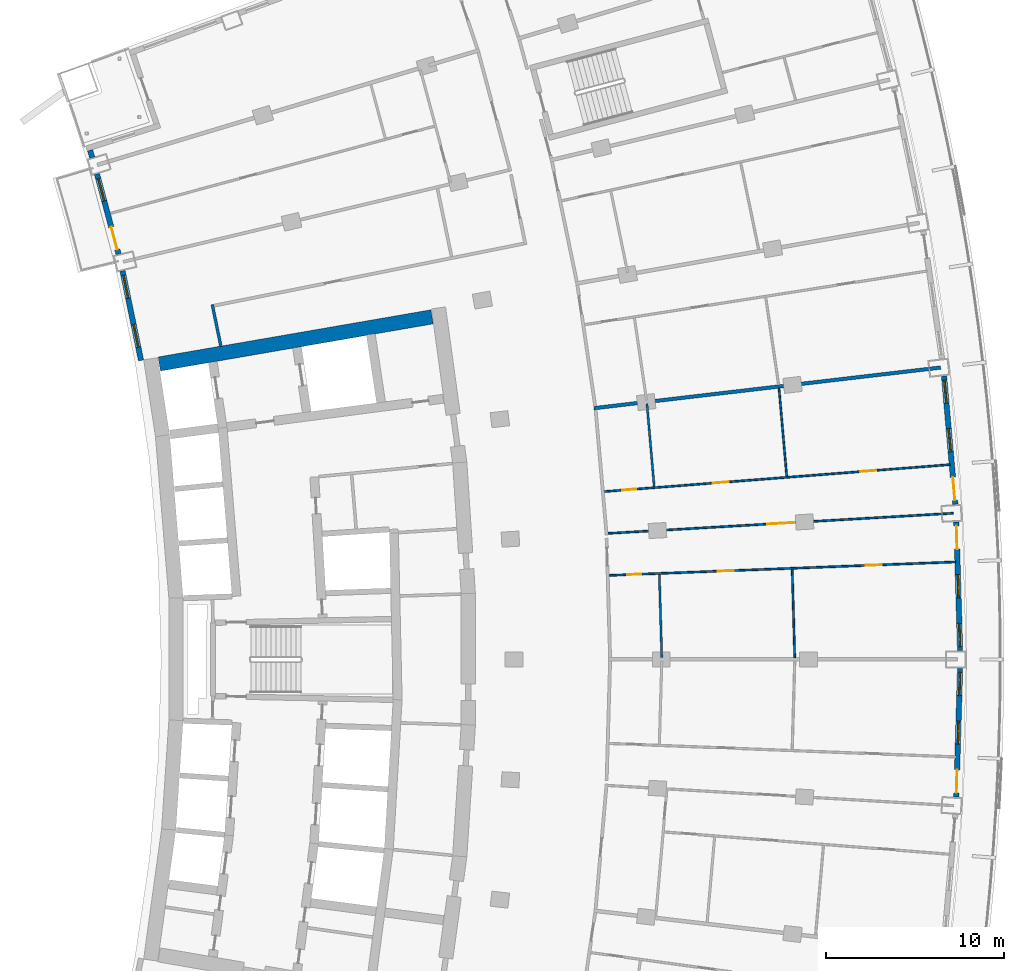
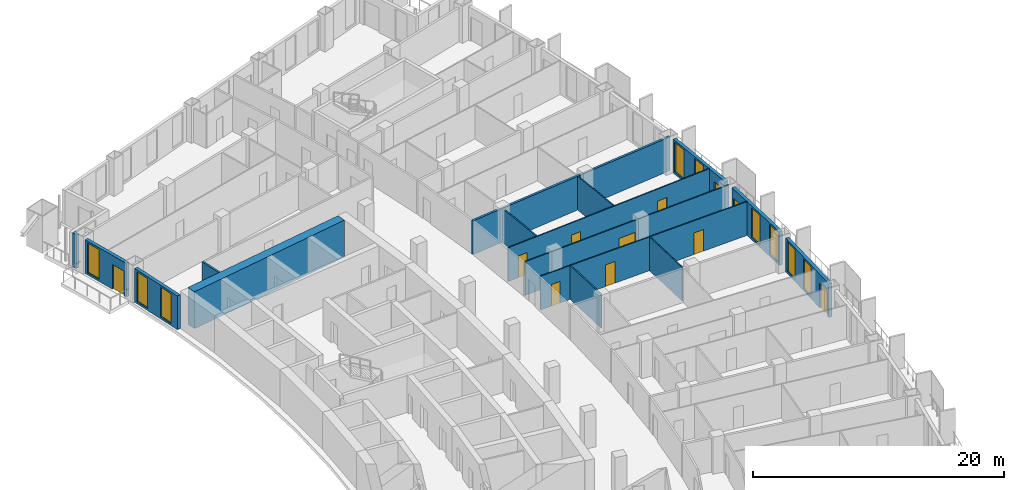
# One storey, part 18 of 25: 16 walls, 11 doors, 9 windows, 20 openings.
"""IFC4 building model written with IfcOpenShell, lengths in metres."""

import ifcopenshell
import ifcopenshell.guid

model = None  # the IFC model being written
_history = None  # IfcOwnerHistory: only IFC2X3 demands one
_inside = {}  # id of a spatial element -> (the spatial element, [elements in it])
_under = {}  # id of a project, library or spatial element -> (it, [spatial elements below it])
_declared = {}  # id of a project -> (the project, [libraries it declares])
_typed = {}  # id of a type object -> (the type object, [elements of that type])
_made_of = {}  # id of a material, layer set ... -> (it, [elements and type objects made of it])


def new_model(schema):
    """Start an empty IFC model of exactly this schema.

    Asked for "IFC4X3", IfcOpenShell would pick the latest addendum, in which some entities
    have other attributes; the version numbers below select the first issue.
    IFC2X3 requires an IfcOwnerHistory on every rooted entity: one is made here for all.
    """
    global model, _history
    if schema == "IFC4X3":
        model = ifcopenshell.file(schema_version=(4, 3, 0, 0))
    else:
        model = ifcopenshell.file(schema=schema)
    _inside.clear()
    _under.clear()
    _declared.clear()
    _typed.clear()
    _made_of.clear()
    _history = None
    if model.schema == "IFC2X3":
        org = make("IfcOrganization", Name="unknown")
        user = make(
            "IfcPersonAndOrganization",
            ThePerson=make("IfcPerson", FamilyName="unknown"),
            TheOrganization=org,
        )
        app = make(
            "IfcApplication",
            ApplicationDeveloper=org,
            Version="unknown",
            ApplicationFullName="unknown",
            ApplicationIdentifier="unknown",
        )
        _history = make(
            "IfcOwnerHistory",
            OwningUser=user,
            OwningApplication=app,
            ChangeAction="ADDED",
            CreationDate=0,
        )
    return model


def make(cls, **values):
    """One entity of the class cls with the attributes given. An attribute that is None is left unset."""
    return model.create_entity(
        cls, **{name: value for name, value in values.items() if value is not None}
    )


def rooted(cls, **values):
    """An entity with a GlobalId (a new one), such as an element, a storey or a relation."""
    return make(cls, GlobalId=ifcopenshell.guid.new(), OwnerHistory=_history, **values)


def si_unit(unit_type, name, prefix=None):
    """IfcSIUnit, for example si_unit("LENGTHUNIT", "METRE", prefix="MILLI")."""
    return make("IfcSIUnit", UnitType=unit_type, Prefix=prefix, Name=name)


def assignment(units):
    """IfcUnitAssignment: the units of a project."""
    return None if units is None else make("IfcUnitAssignment", Units=units)


def point(xyz):
    """IfcCartesianPoint."""
    return None if xyz is None else make("IfcCartesianPoint", Coordinates=xyz)


def direction(xyz):
    """IfcDirection."""
    return None if xyz is None else make("IfcDirection", DirectionRatios=xyz)


def frame(location, z_axis=None, x_axis=None):
    """IfcAxis2Placement3D, a coordinate frame: its origin and axes. An axis left out is left unset."""
    return make(
        "IfcAxis2Placement3D",
        Location=point(location),
        Axis=direction(z_axis),
        RefDirection=direction(x_axis),
    )


def frame_2d(location, x_axis=None):
    """IfcAxis2Placement2D, a coordinate frame in the plane: its origin and x axis."""
    return make(
        "IfcAxis2Placement2D", Location=point(location), RefDirection=direction(x_axis)
    )


def origin():
    """The frame at (0, 0, 0) with its axes left unset."""
    return frame((0.0, 0.0, 0.0))


def place(relative_to, where):
    """IfcLocalPlacement: puts the frame where relative to a parent placement (None: the world)."""
    return make(
        "IfcLocalPlacement", PlacementRelTo=relative_to, RelativePlacement=where
    )


def context(
    kind, dimensions, precision=None, world=None, true_north=None, identifier=None
):
    """IfcGeometricRepresentationContext, for example the 3D "Model" context."""
    return make(
        "IfcGeometricRepresentationContext",
        ContextIdentifier=identifier,
        ContextType=kind,
        CoordinateSpaceDimension=dimensions,
        Precision=precision,
        WorldCoordinateSystem=world,
        TrueNorth=true_north,
    )


def subcontext(parent, identifier, kind, view, scale=None):
    """IfcGeometricRepresentationSubContext, for example "Body" below "Model"."""
    return make(
        "IfcGeometricRepresentationSubContext",
        ContextIdentifier=identifier,
        ContextType=kind,
        ParentContext=parent,
        TargetScale=scale,
        TargetView=view,
    )


def project(units=None, contexts=None):
    """IfcProject with its units and contexts."""
    return rooted(
        "IfcProject",
        Name="project",
        RepresentationContexts=contexts,
        UnitsInContext=assignment(units),
    )


def spatial(cls, under=None, at=None, **own):
    """A site, building, storey or space (cls), placed at a placement, below another one or the project."""
    s = rooted(cls, ObjectPlacement=at, **own)
    if under is not None:
        _under.setdefault(under.id(), (under, []))[1].append(s)
    return s


def profile(cls, at=None, kind="AREA", **sizes):
    """A parametric profile (cls). Its sizes go by their IFC names, for example OverallWidth=200.0."""
    return make(cls, ProfileType=kind, Position=at, **sizes)


def rectangle(**sizes):
    """IfcRectangleProfileDef."""
    return profile("IfcRectangleProfileDef", **sizes)


def extrude(swept, where, along, depth):
    """IfcExtrudedAreaSolid: the profile swept, set in the frame where, extruded along a direction by depth."""
    return make(
        "IfcExtrudedAreaSolid",
        SweptArea=swept,
        Position=where,
        ExtrudedDirection=direction(along),
        Depth=depth,
    )


def shape(context_of_items, identifier, shape_type, items):
    """IfcShapeRepresentation: the items that make up one representation, for example the "Body"."""
    return make(
        "IfcShapeRepresentation",
        ContextOfItems=context_of_items,
        RepresentationIdentifier=identifier,
        RepresentationType=shape_type,
        Items=items,
    )


def material(Name=None, Category=None):
    """IfcMaterial."""
    return make("IfcMaterial", Name=Name, Category=Category)


def layer(
    of_material, thickness, ventilated=None, Name=None, Category=None, Priority=None
):
    """IfcMaterialLayer: one layer of a wall or slab, of a material (None: an air gap)."""
    return make(
        "IfcMaterialLayer",
        Material=of_material,
        LayerThickness=thickness,
        IsVentilated=ventilated,
        Name=Name,
        Category=Category,
        Priority=Priority,
    )


def layer_set(layers, Name=None):
    """IfcMaterialLayerSet."""
    return make("IfcMaterialLayerSet", MaterialLayers=layers, LayerSetName=Name)


def made_of(thing, what):
    """Note that an element or type object is made of a material, layer set ...; save() writes the relation."""
    if what is not None:
        _made_of.setdefault(what.id(), (what, []))[1].append(thing)
    return thing


def type_object(cls, material=None, **own):
    """A type object (cls), such as IfcWallType, which elements share."""
    return made_of(rooted(cls, **own), material)


def element(
    cls,
    number,
    at=None,
    inside=None,
    cuts=None,
    type_object=None,
    material=None,
    context=None,
    identifier="Body",
    shape_type=None,
    held_by="IfcProductDefinitionShape",
    body=None,
    shapes=None,
    **own,
):
    """One element of the class cls, such as IfcWall. Its Tag is "e" and its number.

    at: its placement. inside: the storey or other place that contains it. cuts: it is an
    opening in that element (IfcRelVoidsElement). A single representation is given by context,
    identifier, shape_type and body (its items); several are given by shapes. held_by: the class
    of the entity that holds the representations. save() writes the other relations.
    """
    e = rooted(cls, Tag="e%d" % number, ObjectPlacement=at, **own)
    if body is not None:
        shapes = [shape(context, identifier, shape_type, body)]
    if shapes is not None:
        e.Representation = make(held_by, Representations=shapes)
    if inside is not None:
        _inside.setdefault(inside.id(), (inside, []))[1].append(e)
    if cuts is not None:
        rooted(
            "IfcRelVoidsElement", RelatingBuildingElement=cuts, RelatedOpeningElement=e
        )
    if type_object is not None:
        _typed.setdefault(type_object.id(), (type_object, []))[1].append(e)
    return made_of(e, material)


def fill(opening, filler):
    """IfcRelFillsElement: the door or window that sits in an opening."""
    return rooted(
        "IfcRelFillsElement",
        RelatingOpeningElement=opening,
        RelatedBuildingElement=filler,
    )


def aggregate(whole, parts):
    """IfcRelAggregates: a whole, such as a stair, and the parts it consists of."""
    return rooted("IfcRelAggregates", RelatingObject=whole, RelatedObjects=parts)


def save(model, path):
    """Write the relations noted so far, then the file.

    IfcRelAggregates (storeys below a building ...), IfcRelContainedInSpatialStructure (elements
    in a storey), IfcRelDefinesByType, IfcRelAssociatesMaterial and IfcRelDeclares: one each for
    every whole, place, type object, material and project.
    """
    for whole, parts in _under.values():
        aggregate(whole, parts)
    for where, things in _inside.values():
        rooted(
            "IfcRelContainedInSpatialStructure",
            RelatedElements=things,
            RelatingStructure=where,
        )
    for kind, things in _typed.values():
        rooted("IfcRelDefinesByType", RelatedObjects=things, RelatingType=kind)
    for what, things in _made_of.values():
        rooted("IfcRelAssociatesMaterial", RelatedObjects=things, RelatingMaterial=what)
    for by, libraries in _declared.values():
        rooted("IfcRelDeclares", RelatingContext=by, RelatedDefinitions=libraries)
    model.write(path)


model = new_model("IFC4")

# Units and contexts
model_context = context("Model", 3, precision=1e-05, world=origin(), true_north=direction((0.0, 1.0)))
body_context = subcontext(model_context, "Body", "Model", "MODEL_VIEW")
ifc_project = project(units=[si_unit("LENGTHUNIT", "METRE"), si_unit("AREAUNIT", "SQUARE_METRE"), si_unit("VOLUMEUNIT", "CUBIC_METRE"), si_unit("PLANEANGLEUNIT", "RADIAN"), si_unit("MASSUNIT", "GRAM", prefix="KILO")], contexts=[model_context])

# Site, building, storey
site_placement = place(None, origin())
site = spatial("IfcSite", under=ifc_project, at=site_placement, CompositionType="ELEMENT")
building_placement = place(site_placement, origin())
building = spatial("IfcBuilding", under=site, at=building_placement, Name="Alderwake Tower", CompositionType="ELEMENT")
storey_placement = place(building_placement, frame((0.0, 0.0, 118.39990234375)))
storey = spatial("IfcBuildingStorey", under=building, at=storey_placement, Name="L29", CompositionType="ELEMENT", Elevation=118.39990234375)

# Walls
ifc_material_1 = material(Name="Concrete C70/85", Category="concrete")
ifc_layer_1 = layer(ifc_material_1, 0.800048828125)
ifc_layer_set_1 = layer_set([ifc_layer_1], Name="Core wall outer 800 C70-85")
wall_type_1 = type_object("IfcWallType", Name="Core wall outer 800 C70-85", PredefinedType="SHEAR", material=ifc_layer_set_1)
wall_1_placement = place(storey_placement, frame((15.900146484375, 77.577880859375, 0.0), z_axis=(0.0, 0.0, 1.0), x_axis=(0.985386601125, 0.170332751763, 0.0)))
element("IfcWall", 1, at=wall_1_placement, inside=storey, type_object=wall_type_1, Name="Core wall CW.054", PredefinedType="SHEAR", context=body_context, shape_type="SweptSolid", body=[
    extrude(rectangle(XDim=15.531494140625, YDim=0.800048828125, at=frame_2d((7.765625, 0.0))), origin(), (0.0, 0.0, 1.0), 3.60009765625),
])
ifc_material_2 = material(Name="Gypsum board on metal studs, rated")
ifc_layer_2 = layer(ifc_material_2, 0.159912109375)
ifc_layer_set_2 = layer_set([ifc_layer_2], Name="Corridor wall 160")
wall_type_2 = type_object("IfcWallType", Name="Corridor wall 160", PredefinedType="PARTITIONING", material=ifc_layer_set_2)
wall_2_placement = place(storey_placement, frame((18.874755859375, 80.910400390625, 0.0), z_axis=(0.0, 0.0, 1.0), x_axis=(0.202312089075, -0.979321100873, 0.0)))
element("IfcWall", 2, at=wall_2_placement, inside=storey, type_object=wall_type_2, Name="WL/L29/W18", PredefinedType="PARTITIONING", context=body_context, shape_type="SweptSolid", body=[
    extrude(rectangle(XDim=2.39306640625, YDim=0.159912109375, at=frame_2d((1.196533203125, 0.0))), origin(), (0.0, 0.0, 1.0), 3.280029296875),
])

# Wall, openings, door, windows
ifc_material_3 = material(Name="Precast concrete C50/60 spandrel panel", Category="concrete")
ifc_layer_3 = layer(ifc_material_3, 0.300048828125)
ifc_layer_set_3 = layer_set([ifc_layer_3], Name="External wall EW1 Precast concrete C50/60 spandrel")
wall_type_3 = type_object("IfcWallType", Name="External wall EW1 Precast concrete C50/60 spandrel", PredefinedType="SOLIDWALL", material=ifc_layer_set_3)
wall_3_placement = place(storey_placement, frame((60.625, 53.287109375, 0.0), z_axis=(0.0, 0.0, 1.0), x_axis=(0.029158493341, 0.999574800736, 0.0)))
wall_3 = element("IfcWall", 3, at=wall_3_placement, inside=storey, type_object=wall_type_3, Name="External wall 16", PredefinedType="SOLIDWALL", context=body_context, shape_type="SweptSolid", body=[
    extrude(rectangle(XDim=7.217529296875, YDim=0.300048828125, at=frame_2d((3.60888671875, 0.0))), origin(), (0.0, 0.0, 1.0), 3.280029296875),
])
opening_1_placement = place(wall_3_placement, frame((0.22509765625, 0.0, 0.0)))
opening_1 = element("IfcOpeningElement", 4, at=opening_1_placement, cuts=wall_3, Name="Opening D07", PredefinedType="OPENING", context=body_context, shape_type="SweptSolid", body=[
    extrude(rectangle(XDim=1.300048828125, YDim=2.39990234375, at=frame_2d((0.64990234375, 1.199951171875))), frame((0.0, 0.159912109375, 0.0), z_axis=(0.0, -1.0, 0.0), x_axis=(1.0, 0.0, 0.0)), (0.0, 0.0, 1.0), 0.320068359375),
])
opening_2_placement = place(wall_3_placement, frame((2.958740234375, 0.0, 0.199951171875)))
opening_2 = element("IfcOpeningElement", 5, at=opening_2_placement, cuts=wall_3, Name="Opening W1", PredefinedType="OPENING", context=body_context, shape_type="SweptSolid", body=[
    extrude(rectangle(XDim=1.300048828125, YDim=2.89990234375, at=frame_2d((0.64990234375, 1.449951171875))), frame((0.0, 0.159912109375, 0.0), z_axis=(0.0, -1.0, 0.0), x_axis=(1.0, 0.0, 0.0)), (0.0, 0.0, 1.0), 0.320068359375),
])
opening_3_placement = place(wall_3_placement, frame((5.692138671875, 0.0, 0.199951171875)))
opening_3 = element("IfcOpeningElement", 6, at=opening_3_placement, cuts=wall_3, Name="Opening W1", PredefinedType="OPENING", context=body_context, shape_type="SweptSolid", body=[
    extrude(rectangle(XDim=1.300048828125, YDim=2.89990234375, at=frame_2d((0.64990234375, 1.449951171875))), frame((0.0, 0.159912109375, 0.0), z_axis=(0.0, -1.0, 0.0), x_axis=(1.0, 0.0, 0.0)), (0.0, 0.0, 1.0), 0.320068359375),
])
ifc_material_4 = material(Name="Bronze tinted glass in aluminium frame", Category="aluminium")
door_type_1 = type_object("IfcDoorType", Name="Balcony door BD sliding", OperationType="SLIDING_TO_LEFT", PredefinedType="DOOR", material=ifc_material_4)
door_1_placement = place(opening_1_placement, origin())
door_1 = element("IfcDoor", 7, at=door_1_placement, inside=storey, type_object=door_type_1, Name="Door D07", OperationType="SLIDING_TO_LEFT", OverallHeight=2.39990234375, OverallWidth=1.300048828125, PredefinedType="DOOR", context=body_context, shape_type="SweptSolid", body=[
    extrude(rectangle(XDim=1.300048828125, YDim=2.39990234375, at=frame_2d((0.64990234375, 1.199951171875))), frame((0.0, 0.02490234375, 0.0), z_axis=(0.0, -1.0, 0.0), x_axis=(1.0, 0.0, 0.0)), (0.0, 0.0, 1.0), 0.050048828125),
])
fill(opening_1, door_1)
ifc_material_5 = material(Name="Bronze tinted glass in aluminium frame", Category="aluminium")
window_type = type_object("IfcWindowType", Name="Window W1 tall fixed and vent", PartitioningType="DOUBLE_PANEL_VERTICAL", PredefinedType="WINDOW", material=ifc_material_5)
window_1_placement = place(opening_2_placement, origin())
window_1 = element("IfcWindow", 8, at=window_1_placement, inside=storey, type_object=window_type, Name="Window W1 tall fixed and vent", OverallHeight=2.89990234375, OverallWidth=1.300048828125, PartitioningType="DOUBLE_PANEL_VERTICAL", PredefinedType="WINDOW", context=body_context, shape_type="SweptSolid", body=[
    extrude(rectangle(XDim=1.300048828125, YDim=2.89990234375, at=frame_2d((0.64990234375, 1.449951171875))), frame((0.0, 0.030029296875, 0.0), z_axis=(0.0, -1.0, 0.0), x_axis=(1.0, 0.0, 0.0)), (0.0, 0.0, 1.0), 0.06005859375),
])
fill(opening_2, window_1)
window_2_placement = place(opening_3_placement, origin())
window_2 = element("IfcWindow", 9, at=window_2_placement, inside=storey, type_object=window_type, Name="Window W1 tall fixed and vent", OverallHeight=2.89990234375, OverallWidth=1.300048828125, PartitioningType="DOUBLE_PANEL_VERTICAL", PredefinedType="WINDOW", context=body_context, shape_type="SweptSolid", body=[
    extrude(rectangle(XDim=1.300048828125, YDim=2.89990234375, at=frame_2d((0.64990234375, 1.449951171875))), frame((0.0, 0.030029296875, 0.0), z_axis=(0.0, -1.0, 0.0), x_axis=(1.0, 0.0, 0.0)), (0.0, 0.0, 1.0), 0.06005859375),
])
fill(opening_3, window_2)

wall_4_placement = place(storey_placement, frame((60.83544921875, 61.49853515625, 0.0), z_axis=(0.0, 0.0, 1.0), x_axis=(-0.029158493341, 0.999574800736, 0.0)))
wall_4 = element("IfcWall", 10, at=wall_4_placement, inside=storey, type_object=wall_type_3, Name="External wall 17", PredefinedType="SOLIDWALL", context=body_context, shape_type="SweptSolid", body=[
    extrude(rectangle(XDim=7.217529296875, YDim=0.300048828125, at=frame_2d((3.60888671875, 0.0))), origin(), (0.0, 0.0, 1.0), 3.280029296875),
])
opening_4_placement = place(wall_4_placement, frame((0.22509765625, 0.0, 0.199951171875)))
opening_4 = element("IfcOpeningElement", 11, at=opening_4_placement, cuts=wall_4, Name="Opening W1", PredefinedType="OPENING", context=body_context, shape_type="SweptSolid", body=[
    extrude(rectangle(XDim=1.300048828125, YDim=2.89990234375, at=frame_2d((0.64990234375, 1.449951171875))), frame((0.0, 0.159912109375, 0.0), z_axis=(0.0, -1.0, 0.0), x_axis=(1.0, 0.0, 0.0)), (0.0, 0.0, 1.0), 0.320068359375),
])
opening_5_placement = place(wall_4_placement, frame((2.958740234375, 0.0, 0.199951171875)))
opening_5 = element("IfcOpeningElement", 12, at=opening_5_placement, cuts=wall_4, Name="Opening W1", PredefinedType="OPENING", context=body_context, shape_type="SweptSolid", body=[
    extrude(rectangle(XDim=1.300048828125, YDim=2.89990234375, at=frame_2d((0.64990234375, 1.449951171875))), frame((0.0, 0.159912109375, 0.0), z_axis=(0.0, -1.0, 0.0), x_axis=(1.0, 0.0, 0.0)), (0.0, 0.0, 1.0), 0.320068359375),
])
opening_6_placement = place(wall_4_placement, frame((5.692138671875, 0.0, 0.0)))
opening_6 = element("IfcOpeningElement", 13, at=opening_6_placement, cuts=wall_4, Name="Opening D08", PredefinedType="OPENING", context=body_context, shape_type="SweptSolid", body=[
    extrude(rectangle(XDim=1.300048828125, YDim=2.39990234375, at=frame_2d((0.64990234375, 1.199951171875))), frame((0.0, 0.159912109375, 0.0), z_axis=(0.0, -1.0, 0.0), x_axis=(1.0, 0.0, 0.0)), (0.0, 0.0, 1.0), 0.320068359375),
])
door_2_placement = place(opening_6_placement, origin())
door_2 = element("IfcDoor", 14, at=door_2_placement, inside=storey, type_object=door_type_1, Name="Door D08", OperationType="SLIDING_TO_LEFT", OverallHeight=2.39990234375, OverallWidth=1.300048828125, PredefinedType="DOOR", context=body_context, shape_type="SweptSolid", body=[
    extrude(rectangle(XDim=1.300048828125, YDim=2.39990234375, at=frame_2d((0.64990234375, 1.199951171875))), frame((0.0, 0.02490234375, 0.0), z_axis=(0.0, -1.0, 0.0), x_axis=(1.0, 0.0, 0.0)), (0.0, 0.0, 1.0), 0.050048828125),
])
fill(opening_6, door_2)
window_3_placement = place(opening_4_placement, origin())
window_3 = element("IfcWindow", 15, at=window_3_placement, inside=storey, type_object=window_type, Name="Window W1 tall fixed and vent", OverallHeight=2.89990234375, OverallWidth=1.300048828125, PartitioningType="DOUBLE_PANEL_VERTICAL", PredefinedType="WINDOW", context=body_context, shape_type="SweptSolid", body=[
    extrude(rectangle(XDim=1.300048828125, YDim=2.89990234375, at=frame_2d((0.64990234375, 1.449951171875))), frame((0.0, 0.030029296875, 0.0), z_axis=(0.0, -1.0, 0.0), x_axis=(1.0, 0.0, 0.0)), (0.0, 0.0, 1.0), 0.06005859375),
])
fill(opening_4, window_3)
window_4_placement = place(opening_5_placement, origin())
window_4 = element("IfcWindow", 16, at=window_4_placement, inside=storey, type_object=window_type, Name="Window W1 tall fixed and vent", OverallHeight=2.89990234375, OverallWidth=1.300048828125, PartitioningType="DOUBLE_PANEL_VERTICAL", PredefinedType="WINDOW", context=body_context, shape_type="SweptSolid", body=[
    extrude(rectangle(XDim=1.300048828125, YDim=2.89990234375, at=frame_2d((0.64990234375, 1.449951171875))), frame((0.0, 0.030029296875, 0.0), z_axis=(0.0, -1.0, 0.0), x_axis=(1.0, 0.0, 0.0)), (0.0, 0.0, 1.0), 0.06005859375),
])
fill(opening_5, window_4)

wall_5_placement = place(storey_placement, frame((60.56689453125, 69.70849609375, 0.0), z_axis=(0.0, 0.0, 1.0), x_axis=(-0.087409071473, 0.996172502243, 0.0)))
wall_5 = element("IfcWall", 17, at=wall_5_placement, inside=storey, type_object=wall_type_3, Name="External wall 18", PredefinedType="SOLIDWALL", context=body_context, shape_type="SweptSolid", body=[
    extrude(rectangle(XDim=7.21728515625, YDim=0.300048828125, at=frame_2d((3.608642578125, 0.0))), origin(), (0.0, 0.0, 1.0), 3.280029296875),
])
opening_7_placement = place(wall_5_placement, frame((0.22509765625, 0.0, 0.0)))
opening_7 = element("IfcOpeningElement", 18, at=opening_7_placement, cuts=wall_5, Name="Opening D09", PredefinedType="OPENING", context=body_context, shape_type="SweptSolid", body=[
    extrude(rectangle(XDim=1.300048828125, YDim=2.39990234375, at=frame_2d((0.64990234375, 1.199951171875))), frame((0.0, 0.159912109375, 0.0), z_axis=(0.0, -1.0, 0.0), x_axis=(1.0, 0.0, 0.0)), (0.0, 0.0, 1.0), 0.320068359375),
])
opening_8_placement = place(wall_5_placement, frame((2.958740234375, 0.0, 0.199951171875)))
opening_8 = element("IfcOpeningElement", 19, at=opening_8_placement, cuts=wall_5, Name="Opening W1", PredefinedType="OPENING", context=body_context, shape_type="SweptSolid", body=[
    extrude(rectangle(XDim=1.300048828125, YDim=2.89990234375, at=frame_2d((0.64990234375, 1.449951171875))), frame((0.0, 0.159912109375, 0.0), z_axis=(0.0, -1.0, 0.0), x_axis=(1.0, 0.0, 0.0)), (0.0, 0.0, 1.0), 0.320068359375),
])
opening_9_placement = place(wall_5_placement, frame((5.692138671875, 0.0, 0.199951171875)))
opening_9 = element("IfcOpeningElement", 20, at=opening_9_placement, cuts=wall_5, Name="Opening W1", PredefinedType="OPENING", context=body_context, shape_type="SweptSolid", body=[
    extrude(rectangle(XDim=1.300048828125, YDim=2.89990234375, at=frame_2d((0.64990234375, 1.449951171875))), frame((0.0, 0.159912109375, 0.0), z_axis=(0.0, -1.0, 0.0), x_axis=(1.0, 0.0, 0.0)), (0.0, 0.0, 1.0), 0.320068359375),
])
door_3_placement = place(opening_7_placement, origin())
door_3 = element("IfcDoor", 21, at=door_3_placement, inside=storey, type_object=door_type_1, Name="Door D09", OperationType="SLIDING_TO_LEFT", OverallHeight=2.39990234375, OverallWidth=1.300048828125, PredefinedType="DOOR", context=body_context, shape_type="SweptSolid", body=[
    extrude(rectangle(XDim=1.300048828125, YDim=2.39990234375, at=frame_2d((0.64990234375, 1.199951171875))), frame((0.0, 0.02490234375, 0.0), z_axis=(0.0, -1.0, 0.0), x_axis=(1.0, 0.0, 0.0)), (0.0, 0.0, 1.0), 0.050048828125),
])
fill(opening_7, door_3)
window_5_placement = place(opening_8_placement, origin())
window_5 = element("IfcWindow", 22, at=window_5_placement, inside=storey, type_object=window_type, Name="Window W1 tall fixed and vent", OverallHeight=2.89990234375, OverallWidth=1.300048828125, PartitioningType="DOUBLE_PANEL_VERTICAL", PredefinedType="WINDOW", context=body_context, shape_type="SweptSolid", body=[
    extrude(rectangle(XDim=1.300048828125, YDim=2.89990234375, at=frame_2d((0.64990234375, 1.449951171875))), frame((0.0, 0.030029296875, 0.0), z_axis=(0.0, -1.0, 0.0), x_axis=(1.0, 0.0, 0.0)), (0.0, 0.0, 1.0), 0.06005859375),
])
fill(opening_8, window_5)
window_6_placement = place(opening_9_placement, origin())
window_6 = element("IfcWindow", 23, at=window_6_placement, inside=storey, type_object=window_type, Name="Window W1 tall fixed and vent", OverallHeight=2.89990234375, OverallWidth=1.300048828125, PartitioningType="DOUBLE_PANEL_VERTICAL", PredefinedType="WINDOW", context=body_context, shape_type="SweptSolid", body=[
    extrude(rectangle(XDim=1.300048828125, YDim=2.89990234375, at=frame_2d((0.64990234375, 1.449951171875))), frame((0.0, 0.030029296875, 0.0), z_axis=(0.0, -1.0, 0.0), x_axis=(1.0, 0.0, 0.0)), (0.0, 0.0, 1.0), 0.06005859375),
])
fill(opening_9, window_6)

# Wall
wall_6_placement = place(storey_placement, frame((12.01416015625, 89.5703125, 0.0), z_axis=(0.0, 0.0, 1.0), x_axis=(0.294567190983, -0.955630770746, 0.0)))
element("IfcWall", 24, at=wall_6_placement, inside=storey, type_object=wall_type_3, Name="External wall 32", PredefinedType="SOLIDWALL", context=body_context, shape_type="SweptSolid", body=[
    extrude(rectangle(XDim=0.427734375, YDim=0.300048828125, at=frame_2d((0.2138671875, 0.0))), origin(), (0.0, 0.0, 1.0), 3.280029296875),
])

# Wall, openings, door, window
wall_7_placement = place(storey_placement, frame((12.406494140625, 88.237548828125, 0.0), z_axis=(0.0, 0.0, 1.0), x_axis=(0.259468933642, -0.965751454814, 0.0)))
wall_7 = element("IfcWall", 25, at=wall_7_placement, inside=storey, type_object=wall_type_3, Name="External wall 33", PredefinedType="SOLIDWALL", context=body_context, shape_type="SweptSolid", body=[
    extrude(rectangle(XDim=4.65087890625, YDim=0.300048828125, at=frame_2d((2.325439453125, 0.0))), origin(), (0.0, 0.0, 1.0), 3.280029296875),
])
opening_10_placement = place(wall_7_placement, frame((0.26708984375, 0.0, 0.199951171875)))
opening_10 = element("IfcOpeningElement", 26, at=opening_10_placement, cuts=wall_7, Name="Opening W1", PredefinedType="OPENING", context=body_context, shape_type="SweptSolid", body=[
    extrude(rectangle(XDim=1.300048828125, YDim=2.89990234375, at=frame_2d((0.64990234375, 1.449951171875))), frame((0.0, 0.159912109375, 0.0), z_axis=(0.0, -1.0, 0.0), x_axis=(1.0, 0.0, 0.0)), (0.0, 0.0, 1.0), 0.320068359375),
])
opening_11_placement = place(wall_7_placement, frame((3.083984375, 0.0, 0.0)))
opening_11 = element("IfcOpeningElement", 27, at=opening_11_placement, cuts=wall_7, Name="Opening D15", PredefinedType="OPENING", context=body_context, shape_type="SweptSolid", body=[
    extrude(rectangle(XDim=1.300048828125, YDim=2.39990234375, at=frame_2d((0.64990234375, 1.199951171875))), frame((0.0, 0.159912109375, 0.0), z_axis=(0.0, -1.0, 0.0), x_axis=(1.0, 0.0, 0.0)), (0.0, 0.0, 1.0), 0.320068359375),
])
door_4_placement = place(opening_11_placement, origin())
door_4 = element("IfcDoor", 28, at=door_4_placement, inside=storey, type_object=door_type_1, Name="Door D15", OperationType="SLIDING_TO_LEFT", OverallHeight=2.39990234375, OverallWidth=1.300048828125, PredefinedType="DOOR", context=body_context, shape_type="SweptSolid", body=[
    extrude(rectangle(XDim=1.300048828125, YDim=2.39990234375, at=frame_2d((0.64990234375, 1.199951171875))), frame((0.0, 0.02490234375, 0.0), z_axis=(0.0, -1.0, 0.0), x_axis=(1.0, 0.0, 0.0)), (0.0, 0.0, 1.0), 0.050048828125),
])
fill(opening_11, door_4)
window_7_placement = place(opening_10_placement, origin())
window_7 = element("IfcWindow", 29, at=window_7_placement, inside=storey, type_object=window_type, Name="Window W1 tall fixed and vent", OverallHeight=2.89990234375, OverallWidth=1.300048828125, PartitioningType="DOUBLE_PANEL_VERTICAL", PredefinedType="WINDOW", context=body_context, shape_type="SweptSolid", body=[
    extrude(rectangle(XDim=1.300048828125, YDim=2.89990234375, at=frame_2d((0.64990234375, 1.449951171875))), frame((0.0, 0.030029296875, 0.0), z_axis=(0.0, -1.0, 0.0), x_axis=(1.0, 0.0, 0.0)), (0.0, 0.0, 1.0), 0.06005859375),
])
fill(opening_10, window_7)

# Wall, openings, windows
wall_8_placement = place(storey_placement, frame((13.83740234375, 82.803955078125, 0.0), z_axis=(0.0, 0.0, 1.0), x_axis=(0.202723539143, -0.979236011734, 0.0)))
wall_8 = element("IfcWall", 30, at=wall_8_placement, inside=storey, type_object=wall_type_3, Name="External wall 34", PredefinedType="SOLIDWALL", context=body_context, shape_type="SweptSolid", body=[
    extrude(rectangle(XDim=5.134033203125, YDim=0.300048828125, at=frame_2d((2.56689453125, 0.0))), origin(), (0.0, 0.0, 1.0), 3.280029296875),
])
opening_12_placement = place(wall_8_placement, frame((0.264892578125, 0.0, 0.199951171875)))
opening_12 = element("IfcOpeningElement", 31, at=opening_12_placement, cuts=wall_8, Name="Opening W1", PredefinedType="OPENING", context=body_context, shape_type="SweptSolid", body=[
    extrude(rectangle(XDim=1.300048828125, YDim=2.89990234375, at=frame_2d((0.64990234375, 1.449951171875))), frame((0.0, 0.159912109375, 0.0), z_axis=(0.0, -1.0, 0.0), x_axis=(1.0, 0.0, 0.0)), (0.0, 0.0, 1.0), 0.320068359375),
])
opening_13_placement = place(wall_8_placement, frame((3.077392578125, 0.0, 0.199951171875)))
opening_13 = element("IfcOpeningElement", 32, at=opening_13_placement, cuts=wall_8, Name="Opening W1", PredefinedType="OPENING", context=body_context, shape_type="SweptSolid", body=[
    extrude(rectangle(XDim=1.300048828125, YDim=2.89990234375, at=frame_2d((0.64990234375, 1.449951171875))), frame((0.0, 0.159912109375, 0.0), z_axis=(0.0, -1.0, 0.0), x_axis=(1.0, 0.0, 0.0)), (0.0, 0.0, 1.0), 0.320068359375),
])
window_8_placement = place(opening_12_placement, origin())
window_8 = element("IfcWindow", 33, at=window_8_placement, inside=storey, type_object=window_type, Name="Window W1 tall fixed and vent", OverallHeight=2.89990234375, OverallWidth=1.300048828125, PartitioningType="DOUBLE_PANEL_VERTICAL", PredefinedType="WINDOW", context=body_context, shape_type="SweptSolid", body=[
    extrude(rectangle(XDim=1.300048828125, YDim=2.89990234375, at=frame_2d((0.64990234375, 1.449951171875))), frame((0.0, 0.030029296875, 0.0), z_axis=(0.0, -1.0, 0.0), x_axis=(1.0, 0.0, 0.0)), (0.0, 0.0, 1.0), 0.06005859375),
])
fill(opening_12, window_8)
window_9_placement = place(opening_13_placement, origin())
window_9 = element("IfcWindow", 34, at=window_9_placement, inside=storey, type_object=window_type, Name="Window W1 tall fixed and vent", OverallHeight=2.89990234375, OverallWidth=1.300048828125, PartitioningType="DOUBLE_PANEL_VERTICAL", PredefinedType="WINDOW", context=body_context, shape_type="SweptSolid", body=[
    extrude(rectangle(XDim=1.300048828125, YDim=2.89990234375, at=frame_2d((0.64990234375, 1.449951171875))), frame((0.0, 0.030029296875, 0.0), z_axis=(0.0, -1.0, 0.0), x_axis=(1.0, 0.0, 0.0)), (0.0, 0.0, 1.0), 0.06005859375),
])
fill(opening_13, window_9)

# Wall
ifc_material_6 = material(Name="Dense block masonry wall", Category="masonry")
ifc_layer_4 = layer(ifc_material_6, 0.199951171875)
ifc_layer_set_4 = layer_set([ifc_layer_4], Name="Party wall 200")
wall_type_4 = type_object("IfcWallType", Name="Party wall 200", PredefinedType="SOLIDWALL", material=ifc_layer_set_4)
wall_9_placement = place(storey_placement, frame((59.7451171875, 77.37890625, 0.0), z_axis=(0.0, 0.0, 1.0), x_axis=(-0.993195977177, -0.116454930851, 0.0)))
element("IfcWall", 35, at=wall_9_placement, inside=storey, type_object=wall_type_4, Name="WL/L29/W12", PredefinedType="SOLIDWALL", context=body_context, shape_type="SweptSolid", body=[
    extrude(rectangle(XDim=19.580810546875, YDim=0.199951171875, at=frame_2d((9.79052734375, 0.0))), origin(), (0.0, 0.0, 1.0), 3.280029296875),
])

# Wall, openings, doors
ifc_material_7 = material(Name="Gypsum board on metal studs")
ifc_layer_5 = layer(ifc_material_7, 0.10009765625)
ifc_layer_set_5 = layer_set([ifc_layer_5], Name="Unit partition 100")
wall_type_5 = type_object("IfcWallType", Name="Unit partition 100", PredefinedType="PARTITIONING", material=ifc_layer_set_5)
wall_10_placement = place(storey_placement, frame((40.867919921875, 70.419189453125, 0.0), z_axis=(0.0, 0.0, 1.0), x_axis=(0.99697836053, 0.077679782668, 0.0)))
wall_10 = element("IfcWall", 36, at=wall_10_placement, inside=storey, type_object=wall_type_5, Name="WL/L29/W70", PredefinedType="PARTITIONING", context=body_context, shape_type="SweptSolid", body=[
    extrude(rectangle(XDim=19.4609375, YDim=0.10009765625, at=frame_2d((9.73046875, 0.0))), origin(), (0.0, 0.0, 1.0), 3.280029296875),
])
opening_14_placement = place(wall_10_placement, frame((6.098388671875, 0.0, 0.0)))
opening_14 = element("IfcOpeningElement", 37, at=opening_14_placement, cuts=wall_10, Name="Opening R08-U08.5", PredefinedType="OPENING", context=body_context, shape_type="SweptSolid", body=[
    extrude(rectangle(XDim=0.89990234375, YDim=2.10009765625, at=frame_2d((0.449951171875, 1.050048828125))), frame((0.0, 0.06005859375, 0.0), z_axis=(0.0, -1.0, 0.0), x_axis=(1.0, 0.0, 0.0)), (0.0, 0.0, 1.0), 0.1201171875),
])
opening_15_placement = place(wall_10_placement, frame((1.009521484375, 0.0, 0.0)))
opening_15 = element("IfcOpeningElement", 38, at=opening_15_placement, cuts=wall_10, Name="Opening R08-U08.6", PredefinedType="OPENING", context=body_context, shape_type="SweptSolid", body=[
    extrude(rectangle(XDim=0.800048828125, YDim=2.10009765625, at=frame_2d((0.39990234375, 1.050048828125))), frame((0.0, 0.06005859375, 0.0), z_axis=(0.0, -1.0, 0.0), x_axis=(1.0, 0.0, 0.0)), (0.0, 0.0, 1.0), 0.1201171875),
])
opening_16_placement = place(wall_10_placement, frame((14.41943359375, 0.0, 0.0)))
opening_16 = element("IfcOpeningElement", 39, at=opening_16_placement, cuts=wall_10, Name="Opening R08-U08.7", PredefinedType="OPENING", context=body_context, shape_type="SweptSolid", body=[
    extrude(rectangle(XDim=0.89990234375, YDim=2.10009765625, at=frame_2d((0.449951171875, 1.050048828125))), frame((0.0, 0.06005859375, 0.0), z_axis=(0.0, -1.0, 0.0), x_axis=(1.0, 0.0, 0.0)), (0.0, 0.0, 1.0), 0.1201171875),
])
ifc_material_8 = material(Name="Painted timber leaf", Category="wood")
door_type_2 = type_object("IfcDoorType", Name="Bathroom door 800", OperationType="SINGLE_SWING_LEFT", PredefinedType="DOOR", material=ifc_material_8)
door_5_placement = place(opening_15_placement, origin())
door_5 = element("IfcDoor", 40, at=door_5_placement, inside=storey, type_object=door_type_2, Name="DR/L29/U08.6", OperationType="SINGLE_SWING_LEFT", OverallHeight=2.10009765625, OverallWidth=0.800048828125, PredefinedType="DOOR", context=body_context, shape_type="SweptSolid", body=[
    extrude(rectangle(XDim=0.800048828125, YDim=2.10009765625, at=frame_2d((0.39990234375, 1.050048828125))), frame((0.0, 0.02490234375, 0.0), z_axis=(0.0, -1.0, 0.0), x_axis=(1.0, 0.0, 0.0)), (0.0, 0.0, 1.0), 0.050048828125),
])
fill(opening_15, door_5)
ifc_material_9 = material(Name="Painted timber leaf", Category="wood")
door_type_3 = type_object("IfcDoorType", Name="Room door 900", OperationType="SINGLE_SWING_LEFT", PredefinedType="DOOR", material=ifc_material_9)
door_6_placement = place(opening_14_placement, origin())
door_6 = element("IfcDoor", 41, at=door_6_placement, inside=storey, type_object=door_type_3, Name="DR/L29/U08.5", OperationType="SINGLE_SWING_LEFT", OverallHeight=2.10009765625, OverallWidth=0.89990234375, PredefinedType="DOOR", context=body_context, shape_type="SweptSolid", body=[
    extrude(rectangle(XDim=0.89990234375, YDim=2.10009765625, at=frame_2d((0.449951171875, 1.050048828125))), frame((0.0, 0.02490234375, 0.0), z_axis=(0.0, -1.0, 0.0), x_axis=(1.0, 0.0, 0.0)), (0.0, 0.0, 1.0), 0.050048828125),
])
fill(opening_14, door_6)
door_7_placement = place(opening_16_placement, origin())
door_7 = element("IfcDoor", 42, at=door_7_placement, inside=storey, type_object=door_type_3, Name="DR/L29/U08.7", OperationType="SINGLE_SWING_LEFT", OverallHeight=2.10009765625, OverallWidth=0.89990234375, PredefinedType="DOOR", context=body_context, shape_type="SweptSolid", body=[
    extrude(rectangle(XDim=0.89990234375, YDim=2.10009765625, at=frame_2d((0.449951171875, 1.050048828125))), frame((0.0, 0.02490234375, 0.0), z_axis=(0.0, -1.0, 0.0), x_axis=(1.0, 0.0, 0.0)), (0.0, 0.0, 1.0), 0.050048828125),
])
fill(opening_16, door_7)

wall_11_placement = place(storey_placement, frame((60.591064453125, 66.470947265625, 0.0), z_axis=(0.0, 0.0, 1.0), x_axis=(-0.999245527857, -0.038837804487, 0.0)))
wall_11 = element("IfcWall", 43, at=wall_11_placement, inside=storey, type_object=wall_type_5, Name="WL/L29/W73", PredefinedType="PARTITIONING", context=body_context, shape_type="SweptSolid", body=[
    extrude(rectangle(XDim=19.4619140625, YDim=0.10009765625, at=frame_2d((9.73095703125, 0.0))), origin(), (0.0, 0.0, 1.0), 3.280029296875),
])
opening_17_placement = place(wall_11_placement, frame((12.46484375, 0.0, 0.0)))
opening_17 = element("IfcOpeningElement", 44, at=opening_17_placement, cuts=wall_11, Name="Opening R08-U08.1", PredefinedType="OPENING", context=body_context, shape_type="SweptSolid", body=[
    extrude(rectangle(XDim=0.89990234375, YDim=2.10009765625, at=frame_2d((0.449951171875, 1.050048828125))), frame((0.0, 0.06005859375, 0.0), z_axis=(0.0, -1.0, 0.0), x_axis=(1.0, 0.0, 0.0)), (0.0, 0.0, 1.0), 0.1201171875),
])
opening_18_placement = place(wall_11_placement, frame((17.653076171875, 0.0, 0.0)))
opening_18 = element("IfcOpeningElement", 45, at=opening_18_placement, cuts=wall_11, Name="Opening R08-U08.3", PredefinedType="OPENING", context=body_context, shape_type="SweptSolid", body=[
    extrude(rectangle(XDim=0.800048828125, YDim=2.10009765625, at=frame_2d((0.39990234375, 1.050048828125))), frame((0.0, 0.06005859375, 0.0), z_axis=(0.0, -1.0, 0.0), x_axis=(1.0, 0.0, 0.0)), (0.0, 0.0, 1.0), 0.1201171875),
])
opening_19_placement = place(wall_11_placement, frame((4.14306640625, 0.0, 0.0)))
opening_19 = element("IfcOpeningElement", 46, at=opening_19_placement, cuts=wall_11, Name="Opening R08-U08.4", PredefinedType="OPENING", context=body_context, shape_type="SweptSolid", body=[
    extrude(rectangle(XDim=0.89990234375, YDim=2.10009765625, at=frame_2d((0.449951171875, 1.050048828125))), frame((0.0, 0.06005859375, 0.0), z_axis=(0.0, -1.0, 0.0), x_axis=(1.0, 0.0, 0.0)), (0.0, 0.0, 1.0), 0.1201171875),
])
door_8_placement = place(opening_18_placement, origin())
door_8 = element("IfcDoor", 47, at=door_8_placement, inside=storey, type_object=door_type_2, Name="DR/L29/U08.3", OperationType="SINGLE_SWING_LEFT", OverallHeight=2.10009765625, OverallWidth=0.800048828125, PredefinedType="DOOR", context=body_context, shape_type="SweptSolid", body=[
    extrude(rectangle(XDim=0.800048828125, YDim=2.10009765625, at=frame_2d((0.39990234375, 1.050048828125))), frame((0.0, 0.02490234375, 0.0), z_axis=(0.0, -1.0, 0.0), x_axis=(1.0, 0.0, 0.0)), (0.0, 0.0, 1.0), 0.050048828125),
])
fill(opening_18, door_8)
door_9_placement = place(opening_17_placement, origin())
door_9 = element("IfcDoor", 48, at=door_9_placement, inside=storey, type_object=door_type_3, Name="DR/L29/U08.1", OperationType="SINGLE_SWING_LEFT", OverallHeight=2.10009765625, OverallWidth=0.89990234375, PredefinedType="DOOR", context=body_context, shape_type="SweptSolid", body=[
    extrude(rectangle(XDim=0.89990234375, YDim=2.10009765625, at=frame_2d((0.449951171875, 1.050048828125))), frame((0.0, 0.02490234375, 0.0), z_axis=(0.0, -1.0, 0.0), x_axis=(1.0, 0.0, 0.0)), (0.0, 0.0, 1.0), 0.050048828125),
])
fill(opening_17, door_9)
door_10_placement = place(opening_19_placement, origin())
door_10 = element("IfcDoor", 49, at=door_10_placement, inside=storey, type_object=door_type_3, Name="DR/L29/U08.4", OperationType="SINGLE_SWING_LEFT", OverallHeight=2.10009765625, OverallWidth=0.89990234375, PredefinedType="DOOR", context=body_context, shape_type="SweptSolid", body=[
    extrude(rectangle(XDim=0.89990234375, YDim=2.10009765625, at=frame_2d((0.449951171875, 1.050048828125))), frame((0.0, 0.02490234375, 0.0), z_axis=(0.0, -1.0, 0.0), x_axis=(1.0, 0.0, 0.0)), (0.0, 0.0, 1.0), 0.050048828125),
])
fill(opening_19, door_10)

# Walls
wall_12_placement = place(storey_placement, frame((51.109619140625, 71.266845703125, 0.0), z_axis=(0.0, 0.0, 1.0), x_axis=(-0.087352937881, 0.996177426086, 0.0)))
element("IfcWall", 50, at=wall_12_placement, inside=storey, type_object=wall_type_5, Name="WL/L29/W83", PredefinedType="PARTITIONING", context=body_context, shape_type="SweptSolid", body=[
    extrude(rectangle(XDim=4.966552734375, YDim=0.10009765625, at=frame_2d((2.4833984375, 0.0))), origin(), (0.0, 0.0, 1.0), 3.280029296875),
])
wall_13_placement = place(storey_placement, frame((51.55810546875, 61.09912109375, 0.0), z_axis=(0.0, 0.0, 1.0), x_axis=(-0.028754823924, 0.999586494557, 0.0)))
element("IfcWall", 51, at=wall_13_placement, inside=storey, type_object=wall_type_5, Name="WL/L29/W85", PredefinedType="PARTITIONING", context=body_context, shape_type="SweptSolid", body=[
    extrude(rectangle(XDim=4.966796875, YDim=0.10009765625, at=frame_2d((2.4833984375, 0.0))), origin(), (0.0, 0.0, 1.0), 3.280029296875),
])

# Wall, opening, door
wall_14_placement = place(storey_placement, frame((41.074951171875, 68.07177734375, 0.0), z_axis=(0.0, 0.0, 1.0), x_axis=(0.998298693209, 0.058307110518, 0.0)))
wall_14 = element("IfcWall", 52, at=wall_14_placement, inside=storey, type_object=wall_type_5, Name="WL/L29/W88", PredefinedType="PARTITIONING", context=body_context, shape_type="SweptSolid", body=[
    extrude(rectangle(XDim=19.419921875, YDim=0.10009765625, at=frame_2d((9.7099609375, 0.0))), origin(), (0.0, 0.0, 1.0), 3.280029296875),
])
opening_20_placement = place(wall_14_placement, frame((8.95947265625, 0.0, 0.0)))
opening_20 = element("IfcOpeningElement", 53, at=opening_20_placement, cuts=wall_14, Name="Opening R08-U08.8", PredefinedType="OPENING", context=body_context, shape_type="SweptSolid", body=[
    extrude(rectangle(XDim=1.5, YDim=2.10009765625, at=frame_2d((0.75, 1.050048828125))), frame((0.0, 0.06005859375, 0.0), z_axis=(0.0, -1.0, 0.0), x_axis=(1.0, 0.0, 0.0)), (0.0, 0.0, 1.0), 0.1201171875),
])
ifc_material_10 = material(Name="Painted timber leaves", Category="wood")
door_type_4 = type_object("IfcDoorType", Name="Double leaf door 1500", OperationType="DOUBLE_DOOR_SINGLE_SWING", PredefinedType="DOOR", material=ifc_material_10)
door_11_placement = place(opening_20_placement, origin())
door_11 = element("IfcDoor", 54, at=door_11_placement, inside=storey, type_object=door_type_4, Name="DR/L29/U08.8", OperationType="DOUBLE_DOOR_SINGLE_SWING", OverallHeight=2.10009765625, OverallWidth=1.5, PredefinedType="DOOR", context=body_context, shape_type="SweptSolid", body=[
    extrude(rectangle(XDim=1.5, YDim=2.10009765625, at=frame_2d((0.75, 1.050048828125))), frame((0.0, 0.02490234375, 0.0), z_axis=(0.0, -1.0, 0.0), x_axis=(1.0, 0.0, 0.0)), (0.0, 0.0, 1.0), 0.050048828125),
])
fill(opening_20, door_11)

# Walls
ifc_material_11 = material(Name="Moisture resistant gypsum board on metal studs")
ifc_layer_6 = layer(ifc_material_11, 0.1201171875)
ifc_layer_set_6 = layer_set([ifc_layer_6], Name="Wet room partition 120")
wall_type_6 = type_object("IfcWallType", Name="Wet room partition 120", PredefinedType="PARTITIONING", material=ifc_layer_set_6)
wall_15_placement = place(storey_placement, frame((43.672607421875, 70.687744140625, 0.0), z_axis=(0.0, 0.0, 1.0), x_axis=(-0.087010256841, 0.996207415755, 0.0)))
element("IfcWall", 55, at=wall_15_placement, inside=storey, type_object=wall_type_6, Name="WL/L29/W58", PredefinedType="PARTITIONING", context=body_context, shape_type="SweptSolid", body=[
    extrude(rectangle(XDim=4.677490234375, YDim=0.1201171875, at=frame_2d((2.3388671875, 0.0))), origin(), (0.0, 0.0, 1.0), 3.280029296875),
])
wall_16_placement = place(storey_placement, frame((44.09716796875, 61.09912109375, 0.0), z_axis=(0.0, 0.0, 1.0), x_axis=(-0.029239477833, 0.999572435062, 0.0)))
element("IfcWall", 56, at=wall_16_placement, inside=storey, type_object=wall_type_6, Name="WL/L29/W62", PredefinedType="PARTITIONING", context=body_context, shape_type="SweptSolid", body=[
    extrude(rectangle(XDim=4.67578125, YDim=0.1201171875, at=frame_2d((2.337890625, 0.0))), origin(), (0.0, 0.0, 1.0), 3.280029296875),
])

save(model, "model.ifc")
